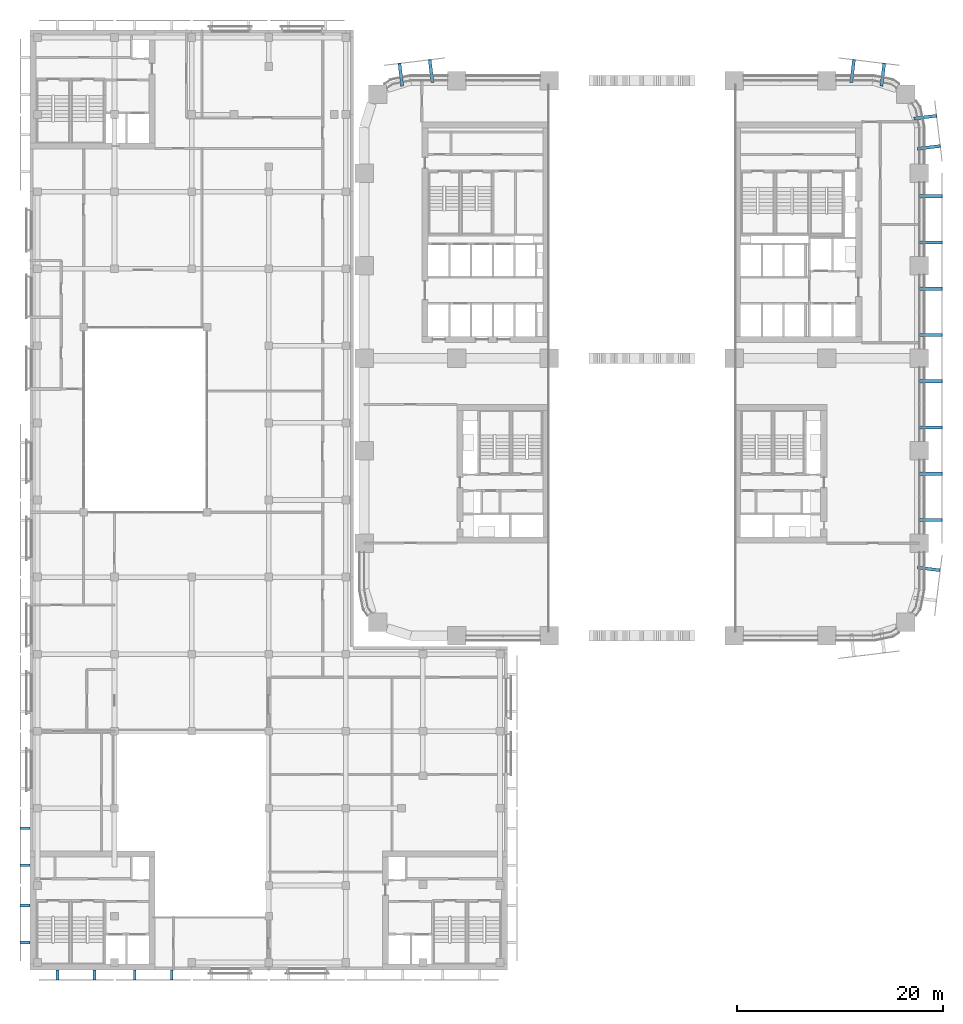
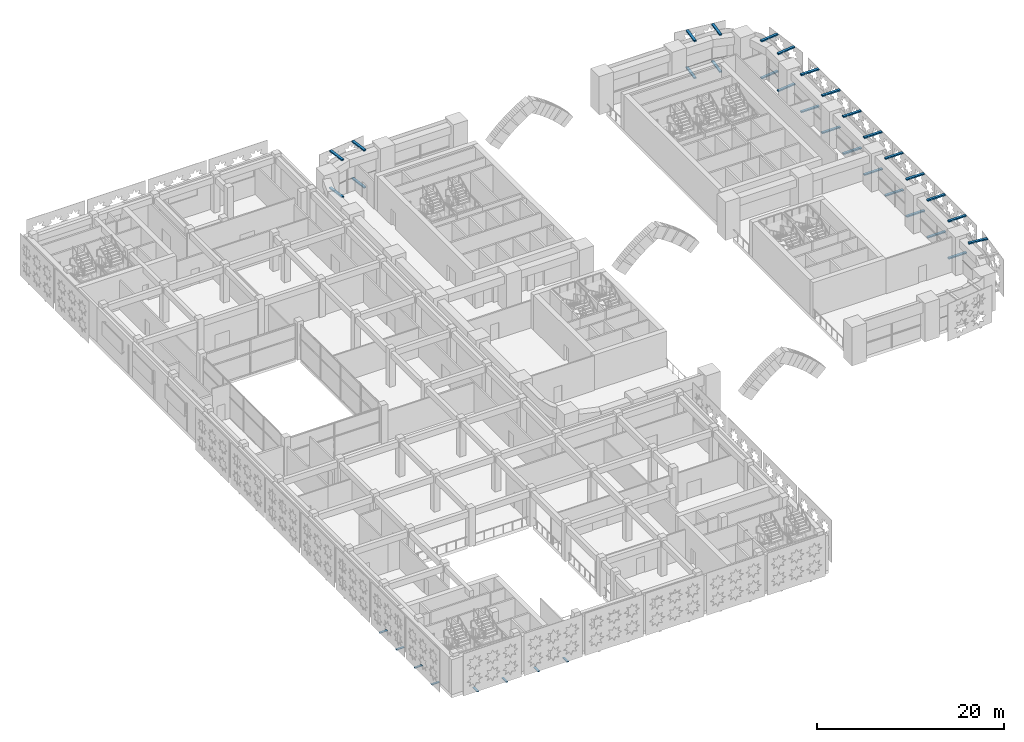
# One storey, part 25 of 40: 37 discrete accessories.
"""IFC4 building model written with IfcOpenShell, lengths in metres."""

from ifc_helpers import new_model, si_unit, direction, frame, origin, origin_2d, place, context, subcontext, project, spatial, rectangle, extrude, element, save


model = new_model("IFC4")

# Units and contexts
model_context = context("Model", 3, precision=1e-05, world=origin(), true_north=direction((0.0, 1.0)))
body_context = subcontext(model_context, "Body", "Model", "MODEL_VIEW")
ifc_project = project(units=[si_unit("LENGTHUNIT", "METRE"), si_unit("AREAUNIT", "SQUARE_METRE"), si_unit("VOLUMEUNIT", "CUBIC_METRE"), si_unit("PLANEANGLEUNIT", "RADIAN"), si_unit("MASSUNIT", "GRAM", prefix="KILO")], contexts=[model_context])

# Site, building, storey
site_placement = place(None, origin())
site = spatial("IfcSite", under=ifc_project, at=site_placement, CompositionType="ELEMENT")
building_placement = place(site_placement, origin())
building = spatial("IfcBuilding", under=site, at=building_placement, Name="Tessera Arch", CompositionType="ELEMENT")
storey_placement = place(building_placement, frame((0.0, 0.0, 21.0)))
storey = spatial("IfcBuildingStorey", under=building, at=storey_placement, Name="L03", CompositionType="ELEMENT", Elevation=21.0)

# Discrete accessories
discrete_accessory_1_placement = place(storey_placement, frame((6.493408203125, 54.9375, 0.0), z_axis=(0.0, 0.0, 1.0), x_axis=(-0.120951161885, 0.992658459108, 0.0)))
element("IfcDiscreteAccessory", 1, at=discrete_accessory_1_placement, inside=storey, Name="Screen panel bracket", PredefinedType="BRACKET", context=body_context, shape_type="SweptSolid", body=[
    extrude(rectangle(XDim=2.25, YDim=0.300048828125, at=origin_2d()), origin(), (0.0, 0.0, 1.0), 0.159912109375),
])
discrete_accessory_2_placement = place(storey_placement, frame((6.49658203125, 54.91259765625, 4.83984375), z_axis=(0.0, 0.0, 1.0), x_axis=(-0.120951161885, 0.992658459108, 0.0)))
element("IfcDiscreteAccessory", 2, at=discrete_accessory_2_placement, inside=storey, Name="Screen panel bracket", PredefinedType="BRACKET", context=body_context, shape_type="SweptSolid", body=[
    extrude(rectangle(XDim=2.199951171875, YDim=0.300048828125, at=origin_2d()), origin(), (0.0, 0.0, 1.0), 0.159912109375),
])
discrete_accessory_3_placement = place(storey_placement, frame((3.552490234375, 54.5791015625, 0.0), z_axis=(0.0, 0.0, 1.0), x_axis=(-0.120951161885, 0.992658459108, 0.0)))
element("IfcDiscreteAccessory", 3, at=discrete_accessory_3_placement, inside=storey, Name="Screen panel bracket", PredefinedType="BRACKET", context=body_context, shape_type="SweptSolid", body=[
    extrude(rectangle(XDim=2.25, YDim=0.300048828125, at=origin_2d()), origin(), (0.0, 0.0, 1.0), 0.159912109375),
])
discrete_accessory_4_placement = place(storey_placement, frame((3.555419921875, 54.554443359375, 4.83984375), z_axis=(0.0, 0.0, 1.0), x_axis=(-0.120951161885, 0.992658459108, 0.0)))
element("IfcDiscreteAccessory", 4, at=discrete_accessory_4_placement, inside=storey, Name="Screen panel bracket", PredefinedType="BRACKET", context=body_context, shape_type="SweptSolid", body=[
    extrude(rectangle(XDim=2.199951171875, YDim=0.300048828125, at=origin_2d()), origin(), (0.0, 0.0, 1.0), 0.159912109375),
])
discrete_accessory_5_placement = place(storey_placement, frame((55.125, 11.25, 0.0), z_axis=(0.0, 0.0, 1.0), x_axis=(1.0, 0.0, 0.0)))
element("IfcDiscreteAccessory", 5, at=discrete_accessory_5_placement, inside=storey, Name="Screen panel bracket", PredefinedType="BRACKET", context=body_context, shape_type="SweptSolid", body=[
    extrude(rectangle(XDim=2.25, YDim=0.300048828125, at=origin_2d()), origin(), (0.0, 0.0, 1.0), 0.159912109375),
])
discrete_accessory_6_placement = place(storey_placement, frame((55.10009765625, 11.25, 4.83984375), z_axis=(0.0, 0.0, 1.0), x_axis=(1.0, 0.0, 0.0)))
element("IfcDiscreteAccessory", 6, at=discrete_accessory_6_placement, inside=storey, Name="Screen panel bracket", PredefinedType="BRACKET", context=body_context, shape_type="SweptSolid", body=[
    extrude(rectangle(XDim=2.199951171875, YDim=0.300048828125, at=origin_2d()), origin(), (0.0, 0.0, 1.0), 0.159912109375),
])
discrete_accessory_7_placement = place(storey_placement, frame((55.125, 15.75, 0.0), z_axis=(0.0, 0.0, 1.0), x_axis=(1.0, 0.0, 0.0)))
element("IfcDiscreteAccessory", 7, at=discrete_accessory_7_placement, inside=storey, Name="Screen panel bracket", PredefinedType="BRACKET", context=body_context, shape_type="SweptSolid", body=[
    extrude(rectangle(XDim=2.25, YDim=0.300048828125, at=origin_2d()), origin(), (0.0, 0.0, 1.0), 0.159912109375),
])
discrete_accessory_8_placement = place(storey_placement, frame((55.10009765625, 15.75, 4.83984375), z_axis=(0.0, 0.0, 1.0), x_axis=(1.0, 0.0, 0.0)))
element("IfcDiscreteAccessory", 8, at=discrete_accessory_8_placement, inside=storey, Name="Screen panel bracket", PredefinedType="BRACKET", context=body_context, shape_type="SweptSolid", body=[
    extrude(rectangle(XDim=2.199951171875, YDim=0.300048828125, at=origin_2d()), origin(), (0.0, 0.0, 1.0), 0.159912109375),
])
discrete_accessory_9_placement = place(storey_placement, frame((55.125, 20.25, 0.0), z_axis=(0.0, 0.0, 1.0), x_axis=(1.0, 0.0, 0.0)))
element("IfcDiscreteAccessory", 9, at=discrete_accessory_9_placement, inside=storey, Name="Screen panel bracket", PredefinedType="BRACKET", context=body_context, shape_type="SweptSolid", body=[
    extrude(rectangle(XDim=2.25, YDim=0.300048828125, at=origin_2d()), origin(), (0.0, 0.0, 1.0), 0.159912109375),
])
discrete_accessory_10_placement = place(storey_placement, frame((55.10009765625, 20.25, 4.83984375), z_axis=(0.0, 0.0, 1.0), x_axis=(1.0, 0.0, 0.0)))
element("IfcDiscreteAccessory", 10, at=discrete_accessory_10_placement, inside=storey, Name="Screen panel bracket", PredefinedType="BRACKET", context=body_context, shape_type="SweptSolid", body=[
    extrude(rectangle(XDim=2.199951171875, YDim=0.300048828125, at=origin_2d()), origin(), (0.0, 0.0, 1.0), 0.159912109375),
])
discrete_accessory_11_placement = place(storey_placement, frame((55.125, 24.75, 0.0), z_axis=(0.0, 0.0, 1.0), x_axis=(1.0, 0.0, 0.0)))
element("IfcDiscreteAccessory", 11, at=discrete_accessory_11_placement, inside=storey, Name="Screen panel bracket", PredefinedType="BRACKET", context=body_context, shape_type="SweptSolid", body=[
    extrude(rectangle(XDim=2.25, YDim=0.300048828125, at=origin_2d()), origin(), (0.0, 0.0, 1.0), 0.159912109375),
])
discrete_accessory_12_placement = place(storey_placement, frame((55.10009765625, 24.75, 4.83984375), z_axis=(0.0, 0.0, 1.0), x_axis=(1.0, 0.0, 0.0)))
element("IfcDiscreteAccessory", 12, at=discrete_accessory_12_placement, inside=storey, Name="Screen panel bracket", PredefinedType="BRACKET", context=body_context, shape_type="SweptSolid", body=[
    extrude(rectangle(XDim=2.199951171875, YDim=0.300048828125, at=origin_2d()), origin(), (0.0, 0.0, 1.0), 0.159912109375),
])
discrete_accessory_13_placement = place(storey_placement, frame((55.125, 29.25, 0.0), z_axis=(0.0, 0.0, 1.0), x_axis=(1.0, 0.0, 0.0)))
element("IfcDiscreteAccessory", 13, at=discrete_accessory_13_placement, inside=storey, Name="Screen panel bracket", PredefinedType="BRACKET", context=body_context, shape_type="SweptSolid", body=[
    extrude(rectangle(XDim=2.25, YDim=0.300048828125, at=origin_2d()), origin(), (0.0, 0.0, 1.0), 0.159912109375),
])
discrete_accessory_14_placement = place(storey_placement, frame((55.10009765625, 29.25, 4.83984375), z_axis=(0.0, 0.0, 1.0), x_axis=(1.0, 0.0, 0.0)))
element("IfcDiscreteAccessory", 14, at=discrete_accessory_14_placement, inside=storey, Name="Screen panel bracket", PredefinedType="BRACKET", context=body_context, shape_type="SweptSolid", body=[
    extrude(rectangle(XDim=2.199951171875, YDim=0.300048828125, at=origin_2d()), origin(), (0.0, 0.0, 1.0), 0.159912109375),
])
discrete_accessory_15_placement = place(storey_placement, frame((55.125, 33.75, 0.0), z_axis=(0.0, 0.0, 1.0), x_axis=(1.0, 0.0, 0.0)))
element("IfcDiscreteAccessory", 15, at=discrete_accessory_15_placement, inside=storey, Name="Screen panel bracket", PredefinedType="BRACKET", context=body_context, shape_type="SweptSolid", body=[
    extrude(rectangle(XDim=2.25, YDim=0.300048828125, at=origin_2d()), origin(), (0.0, 0.0, 1.0), 0.159912109375),
])
discrete_accessory_16_placement = place(storey_placement, frame((55.10009765625, 33.75, 4.83984375), z_axis=(0.0, 0.0, 1.0), x_axis=(1.0, 0.0, 0.0)))
element("IfcDiscreteAccessory", 16, at=discrete_accessory_16_placement, inside=storey, Name="Screen panel bracket", PredefinedType="BRACKET", context=body_context, shape_type="SweptSolid", body=[
    extrude(rectangle(XDim=2.199951171875, YDim=0.300048828125, at=origin_2d()), origin(), (0.0, 0.0, 1.0), 0.159912109375),
])
discrete_accessory_17_placement = place(storey_placement, frame((55.125, 38.25, 0.0), z_axis=(0.0, 0.0, 1.0), x_axis=(1.0, 0.0, 0.0)))
element("IfcDiscreteAccessory", 17, at=discrete_accessory_17_placement, inside=storey, Name="Screen panel bracket", PredefinedType="BRACKET", context=body_context, shape_type="SweptSolid", body=[
    extrude(rectangle(XDim=2.25, YDim=0.300048828125, at=origin_2d()), origin(), (0.0, 0.0, 1.0), 0.159912109375),
])
discrete_accessory_18_placement = place(storey_placement, frame((55.10009765625, 38.25, 4.83984375), z_axis=(0.0, 0.0, 1.0), x_axis=(1.0, 0.0, 0.0)))
element("IfcDiscreteAccessory", 18, at=discrete_accessory_18_placement, inside=storey, Name="Screen panel bracket", PredefinedType="BRACKET", context=body_context, shape_type="SweptSolid", body=[
    extrude(rectangle(XDim=2.199951171875, YDim=0.300048828125, at=origin_2d()), origin(), (0.0, 0.0, 1.0), 0.159912109375),
])
discrete_accessory_19_placement = place(storey_placement, frame((55.125, 42.75, 0.0), z_axis=(0.0, 0.0, 1.0), x_axis=(1.0, 0.0, 0.0)))
element("IfcDiscreteAccessory", 19, at=discrete_accessory_19_placement, inside=storey, Name="Screen panel bracket", PredefinedType="BRACKET", context=body_context, shape_type="SweptSolid", body=[
    extrude(rectangle(XDim=2.25, YDim=0.300048828125, at=origin_2d()), origin(), (0.0, 0.0, 1.0), 0.159912109375),
])
discrete_accessory_20_placement = place(storey_placement, frame((55.10009765625, 42.75, 4.83984375), z_axis=(0.0, 0.0, 1.0), x_axis=(1.0, 0.0, 0.0)))
element("IfcDiscreteAccessory", 20, at=discrete_accessory_20_placement, inside=storey, Name="Screen panel bracket", PredefinedType="BRACKET", context=body_context, shape_type="SweptSolid", body=[
    extrude(rectangle(XDim=2.199951171875, YDim=0.300048828125, at=origin_2d()), origin(), (0.0, 0.0, 1.0), 0.159912109375),
])
discrete_accessory_21_placement = place(storey_placement, frame((54.9375, 47.506591796875, 0.0), z_axis=(0.0, 0.0, 1.0), x_axis=(0.992658459108, 0.120951161885, 0.0)))
element("IfcDiscreteAccessory", 21, at=discrete_accessory_21_placement, inside=storey, Name="Screen panel bracket", PredefinedType="BRACKET", context=body_context, shape_type="SweptSolid", body=[
    extrude(rectangle(XDim=2.25, YDim=0.300048828125, at=origin_2d()), origin(), (0.0, 0.0, 1.0), 0.159912109375),
])
discrete_accessory_22_placement = place(storey_placement, frame((54.91259765625, 47.50341796875, 4.83984375), z_axis=(0.0, 0.0, 1.0), x_axis=(0.992658459108, 0.120951161885, 0.0)))
element("IfcDiscreteAccessory", 22, at=discrete_accessory_22_placement, inside=storey, Name="Screen panel bracket", PredefinedType="BRACKET", context=body_context, shape_type="SweptSolid", body=[
    extrude(rectangle(XDim=2.199951171875, YDim=0.300048828125, at=origin_2d()), origin(), (0.0, 0.0, 1.0), 0.159912109375),
])
discrete_accessory_23_placement = place(storey_placement, frame((54.5791015625, 50.447509765625, 0.0), z_axis=(0.0, 0.0, 1.0), x_axis=(0.992658459108, 0.120951161885, 0.0)))
element("IfcDiscreteAccessory", 23, at=discrete_accessory_23_placement, inside=storey, Name="Screen panel bracket", PredefinedType="BRACKET", context=body_context, shape_type="SweptSolid", body=[
    extrude(rectangle(XDim=2.25, YDim=0.300048828125, at=origin_2d()), origin(), (0.0, 0.0, 1.0), 0.159912109375),
])
discrete_accessory_24_placement = place(storey_placement, frame((54.554443359375, 50.444580078125, 4.83984375), z_axis=(0.0, 0.0, 1.0), x_axis=(0.992658459108, 0.120951161885, 0.0)))
element("IfcDiscreteAccessory", 24, at=discrete_accessory_24_placement, inside=storey, Name="Screen panel bracket", PredefinedType="BRACKET", context=body_context, shape_type="SweptSolid", body=[
    extrude(rectangle(XDim=2.199951171875, YDim=0.300048828125, at=origin_2d()), origin(), (0.0, 0.0, 1.0), 0.159912109375),
])
discrete_accessory_25_placement = place(storey_placement, frame((50.447509765625, 54.5791015625, 0.0), z_axis=(0.0, 0.0, 1.0), x_axis=(0.120951161885, 0.992658459108, 0.0)))
element("IfcDiscreteAccessory", 25, at=discrete_accessory_25_placement, inside=storey, Name="Screen panel bracket", PredefinedType="BRACKET", context=body_context, shape_type="SweptSolid", body=[
    extrude(rectangle(XDim=2.25, YDim=0.300048828125, at=origin_2d()), origin(), (0.0, 0.0, 1.0), 0.159912109375),
])
discrete_accessory_26_placement = place(storey_placement, frame((50.444580078125, 54.554443359375, 4.83984375), z_axis=(0.0, 0.0, 1.0), x_axis=(0.120951161885, 0.992658459108, 0.0)))
element("IfcDiscreteAccessory", 26, at=discrete_accessory_26_placement, inside=storey, Name="Screen panel bracket", PredefinedType="BRACKET", context=body_context, shape_type="SweptSolid", body=[
    extrude(rectangle(XDim=2.199951171875, YDim=0.300048828125, at=origin_2d()), origin(), (0.0, 0.0, 1.0), 0.159912109375),
])
discrete_accessory_27_placement = place(storey_placement, frame((47.506591796875, 54.9375, 0.0), z_axis=(0.0, 0.0, 1.0), x_axis=(0.120951161885, 0.992658459108, 0.0)))
element("IfcDiscreteAccessory", 27, at=discrete_accessory_27_placement, inside=storey, Name="Screen panel bracket", PredefinedType="BRACKET", context=body_context, shape_type="SweptSolid", body=[
    extrude(rectangle(XDim=2.25, YDim=0.300048828125, at=origin_2d()), origin(), (0.0, 0.0, 1.0), 0.159912109375),
])
for number, where, z_axis, x_axis, name in (
    (28, (47.50341796875, 54.91259765625, 4.83984375), (0.0, 0.0, 1.0), (0.120951161885, 0.992658459108, 0.0), "Screen panel bracket"),
    (29, (54.91259765625, 6.49658203125, 4.83984375), (0.0, 0.0, 1.0), (0.992658459108, -0.120951161885, 0.0), "Screen panel bracket"),
):
    element("IfcDiscreteAccessory", number, at=place(storey_placement, frame(where, z_axis=z_axis, x_axis=x_axis)), inside=storey, Name=name, PredefinedType="BRACKET", context=body_context, shape_type="SweptSolid", body=[
        extrude(rectangle(XDim=2.199951171875, YDim=0.300048828125, at=origin_2d()), origin(), (0.0, 0.0, 1.0), 0.159912109375),
    ])
for number, where, z_axis, x_axis, name in (
    (30, (-29.85009765625, -33.02490234375, 0.0), (0.0, 0.0, 1.0), (0.0, -1.0, 0.0), "Screen panel bracket"),
    (31, (-26.25, -33.02490234375, 0.0), (0.0, 0.0, 1.0), (0.0, -1.0, 0.0), "Screen panel bracket"),
    (32, (-22.35009765625, -33.02490234375, 0.0), (0.0, 0.0, 1.0), (0.0, -1.0, 0.0), "Screen panel bracket"),
    (33, (-18.75, -33.02490234375, 0.0), (0.0, 0.0, 1.0), (0.0, -1.0, 0.0), "Screen panel bracket"),
    (34, (-33.02490234375, -18.75, 0.0), (0.0, 0.0, 1.0), (-1.0, 0.0, 0.0), "Screen panel bracket"),
    (35, (-33.02490234375, -22.35009765625, 0.0), (0.0, 0.0, 1.0), (-1.0, 0.0, 0.0), "Screen panel bracket"),
    (36, (-33.02490234375, -26.25, 0.0), (0.0, 0.0, 1.0), (-1.0, 0.0, 0.0), "Screen panel bracket"),
    (37, (-33.02490234375, -29.85009765625, 0.0), (0.0, 0.0, 1.0), (-1.0, 0.0, 0.0), "Screen panel bracket"),
):
    element("IfcDiscreteAccessory", number, at=place(storey_placement, frame(where, z_axis=z_axis, x_axis=x_axis)), inside=storey, Name=name, PredefinedType="BRACKET", context=body_context, shape_type="SweptSolid", body=[
        extrude(rectangle(XDim=0.949951171875, YDim=0.25, at=origin_2d()), origin(), (0.0, 0.0, 1.0), 0.10009765625),
    ])

save(model, "model.ifc")
